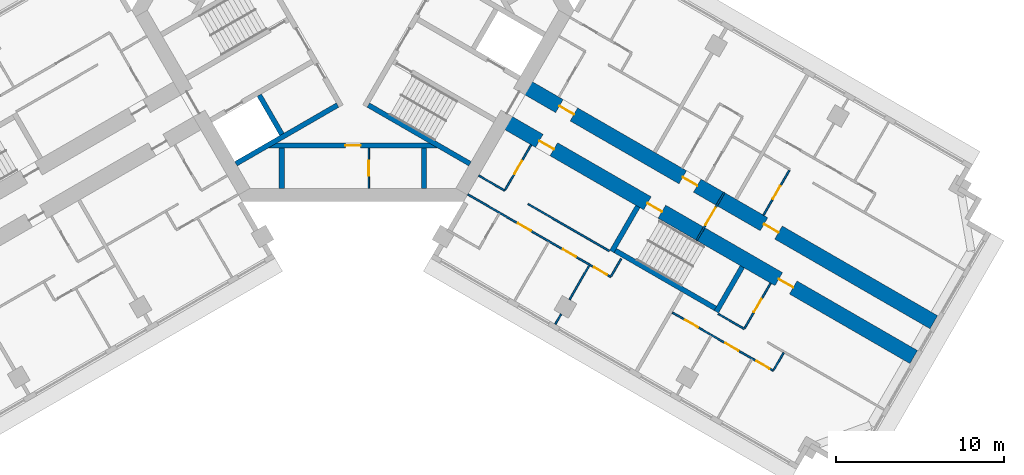
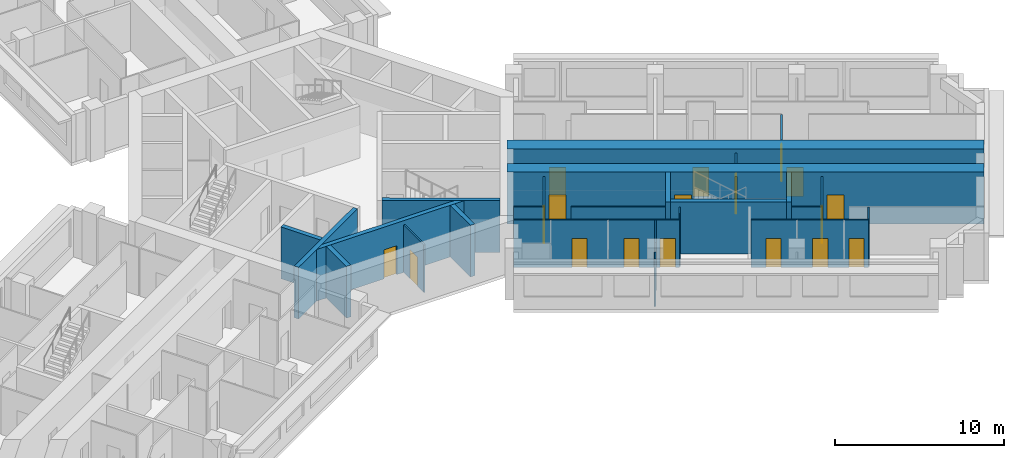
# One storey, part 5 of 12: 25 walls, 18 doors, 18 openings.
"""IFC4 building model written with IfcOpenShell, lengths in metres."""

from ifc_helpers import new_model, si_unit, direction, frame, frame_2d, origin, place, context, subcontext, project, spatial, rectangle, extrude, material, layer, layer_set, type_object, element, fill, save


model = new_model("IFC4")

# Units and contexts
model_context = context("Model", 3, precision=1e-05, world=origin(), true_north=direction((0.0, 1.0)))
body_context = subcontext(model_context, "Body", "Model", "MODEL_VIEW")
ifc_project = project(units=[si_unit("LENGTHUNIT", "METRE"), si_unit("AREAUNIT", "SQUARE_METRE"), si_unit("VOLUMEUNIT", "CUBIC_METRE"), si_unit("PLANEANGLEUNIT", "RADIAN"), si_unit("MASSUNIT", "GRAM", prefix="KILO")], contexts=[model_context])

# Site, building, storey
site_placement = place(None, origin())
site = spatial("IfcSite", under=ifc_project, at=site_placement, CompositionType="ELEMENT")
building_placement = place(site_placement, origin())
building = spatial("IfcBuilding", under=site, at=building_placement, Name="Impinga Residences", CompositionType="ELEMENT")
storey_placement = place(building_placement, frame((0.0, 0.0, 177.25)))
storey = spatial("IfcBuildingStorey", under=building, at=storey_placement, Name="L44", CompositionType="ELEMENT", Elevation=177.25)

# Wall, openings, doors
ifc_material_1 = material(Name="Concrete C60/75", Category="concrete")
ifc_layer_1 = layer(ifc_material_1, 0.89990234375)
ifc_layer_set_1 = layer_set([ifc_layer_1], Name="Concrete C60/75")
wall_type_1 = type_object("IfcWallType", Name="BW2 corridor buttress wall, L24 to L44 900", PredefinedType="SHEAR", material=ifc_layer_set_1)
wall_1_placement = place(storey_placement, frame((10.153564453125, -4.4765625, 0.0), z_axis=(0.0, 0.0, 1.0), x_axis=(0.866027127636, -0.49999701419, 0.0)))
wall_1 = element("IfcWall", 1, at=wall_1_placement, inside=storey, type_object=wall_type_1, Name="Corridor wall BW2 EC L44", PredefinedType="SHEAR", context=body_context, shape_type="SweptSolid", body=[
    extrude(rectangle(XDim=28.300048828125, YDim=0.89990234375, at=frame_2d((14.14990234375, 0.0))), origin(), (0.0, 0.0, 1.0), 3.75),
])
opening_1_placement = place(wall_1_placement, frame((2.5, 0.0, 0.0)))
opening_1 = element("IfcOpeningElement", 2, at=opening_1_placement, cuts=wall_1, Name="Opening D1", PredefinedType="OPENING", context=body_context, shape_type="SweptSolid", body=[
    extrude(rectangle(XDim=1.0, YDim=2.10009765625, at=frame_2d((0.5, 1.050048828125))), frame((0.0, 0.4599609375, 0.0), z_axis=(0.0, -1.0, 0.0), x_axis=(1.0, 0.0, 0.0)), (0.0, 0.0, 1.0), 0.919921875),
])
opening_2_placement = place(wall_1_placement, frame((11.0, 0.0, 0.0)))
opening_2 = element("IfcOpeningElement", 3, at=opening_2_placement, cuts=wall_1, Name="Opening D1", PredefinedType="OPENING", context=body_context, shape_type="SweptSolid", body=[
    extrude(rectangle(XDim=1.0, YDim=2.10009765625, at=frame_2d((0.5, 1.050048828125))), frame((0.0, 0.4599609375, 0.0), z_axis=(0.0, -1.0, 0.0), x_axis=(1.0, 0.0, 0.0)), (0.0, 0.0, 1.0), 0.919921875),
])
opening_3_placement = place(wall_1_placement, frame((16.60009765625, 0.0, 0.0)))
opening_3 = element("IfcOpeningElement", 4, at=opening_3_placement, cuts=wall_1, Name="Opening D1", PredefinedType="OPENING", context=body_context, shape_type="SweptSolid", body=[
    extrude(rectangle(XDim=1.0, YDim=2.10009765625, at=frame_2d((0.5, 1.050048828125))), frame((0.0, 0.4599609375, 0.0), z_axis=(0.0, -1.0, 0.0), x_axis=(1.0, 0.0, 0.0)), (0.0, 0.0, 1.0), 0.919921875),
])
ifc_material_2 = material(Name="Timber door set", Category="wood")
door_type_1 = type_object("IfcDoorType", Name="D1 apartment entrance door 1000x2100", OperationType="SINGLE_SWING_LEFT", PredefinedType="DOOR", material=ifc_material_2)
door_1_placement = place(opening_1_placement, origin())
door_1 = element("IfcDoor", 5, at=door_1_placement, inside=storey, type_object=door_type_1, Name="Apartment L44-EA1 entrance", OperationType="SINGLE_SWING_LEFT", OverallHeight=2.10009765625, OverallWidth=1.0, PredefinedType="DOOR", context=body_context, shape_type="SweptSolid", body=[
    extrude(rectangle(XDim=1.0, YDim=2.10009765625, at=frame_2d((0.5, 1.050048828125))), frame((0.0, 0.02490234375, 0.0), z_axis=(0.0, -1.0, 0.0), x_axis=(1.0, 0.0, 0.0)), (0.0, 0.0, 1.0), 0.050048828125),
])
fill(opening_1, door_1)
door_2_placement = place(opening_2_placement, origin())
door_2 = element("IfcDoor", 6, at=door_2_placement, inside=storey, type_object=door_type_1, Name="Apartment L44-EA2 entrance", OperationType="SINGLE_SWING_LEFT", OverallHeight=2.10009765625, OverallWidth=1.0, PredefinedType="DOOR", context=body_context, shape_type="SweptSolid", body=[
    extrude(rectangle(XDim=1.0, YDim=2.10009765625, at=frame_2d((0.5, 1.050048828125))), frame((0.0, 0.02490234375, 0.0), z_axis=(0.0, -1.0, 0.0), x_axis=(1.0, 0.0, 0.0)), (0.0, 0.0, 1.0), 0.050048828125),
])
fill(opening_2, door_2)
door_3_placement = place(opening_3_placement, origin())
door_3 = element("IfcDoor", 7, at=door_3_placement, inside=storey, type_object=door_type_1, Name="Apartment L44-EA3 entrance", OperationType="SINGLE_SWING_RIGHT", OverallHeight=2.10009765625, OverallWidth=1.0, PredefinedType="DOOR", context=body_context, shape_type="SweptSolid", body=[
    extrude(rectangle(XDim=1.0, YDim=2.10009765625, at=frame_2d((0.5, 1.050048828125))), frame((0.0, 0.02490234375, 0.0), z_axis=(0.0, -1.0, 0.0), x_axis=(1.0, 0.0, 0.0)), (0.0, 0.0, 1.0), 0.050048828125),
])
fill(opening_3, door_3)

wall_2_placement = place(storey_placement, frame((8.95361328125, -6.554931640625, 0.0), z_axis=(0.0, 0.0, 1.0), x_axis=(0.866023392092, -0.500003484338, 0.0)))
wall_2 = element("IfcWall", 8, at=wall_2_placement, inside=storey, type_object=wall_type_1, Name="Corridor wall BW2 ED L44", PredefinedType="SHEAR", context=body_context, shape_type="SweptSolid", body=[
    extrude(rectangle(XDim=28.300048828125, YDim=0.89990234375, at=frame_2d((14.14990234375, 0.0))), origin(), (0.0, 0.0, 1.0), 3.75),
])
opening_4_placement = place(wall_2_placement, frame((9.949951171875, 0.0, 0.0)))
opening_4 = element("IfcOpeningElement", 9, at=opening_4_placement, cuts=wall_2, Name="Opening D5", PredefinedType="OPENING", context=body_context, shape_type="SweptSolid", body=[
    extrude(rectangle(XDim=1.0, YDim=2.10009765625, at=frame_2d((0.5, 1.050048828125))), frame((0.0, 0.4599609375, 0.0), z_axis=(0.0, -1.0, 0.0), x_axis=(1.0, 0.0, 0.0)), (0.0, 0.0, 1.0), 0.919921875),
])
opening_5_placement = place(wall_2_placement, frame((2.5, 0.0, 0.0)))
opening_5 = element("IfcOpeningElement", 10, at=opening_5_placement, cuts=wall_2, Name="Opening D1", PredefinedType="OPENING", context=body_context, shape_type="SweptSolid", body=[
    extrude(rectangle(XDim=1.0, YDim=2.10009765625, at=frame_2d((0.5, 1.050048828125))), frame((0.0, 0.4599609375, 0.0), z_axis=(0.0, -1.0, 0.0), x_axis=(1.0, 0.0, 0.0)), (0.0, 0.0, 1.0), 0.919921875),
])
opening_6_placement = place(wall_2_placement, frame((19.0, 0.0, 0.0)))
opening_6 = element("IfcOpeningElement", 11, at=opening_6_placement, cuts=wall_2, Name="Opening D1", PredefinedType="OPENING", context=body_context, shape_type="SweptSolid", body=[
    extrude(rectangle(XDim=1.0, YDim=2.10009765625, at=frame_2d((0.5, 1.050048828125))), frame((0.0, 0.4599609375, 0.0), z_axis=(0.0, -1.0, 0.0), x_axis=(1.0, 0.0, 0.0)), (0.0, 0.0, 1.0), 0.919921875),
])
door_4_placement = place(opening_5_placement, origin())
door_4 = element("IfcDoor", 12, at=door_4_placement, inside=storey, type_object=door_type_1, Name="Apartment L44-EF1 entrance", OperationType="SINGLE_SWING_LEFT", OverallHeight=2.10009765625, OverallWidth=1.0, PredefinedType="DOOR", context=body_context, shape_type="SweptSolid", body=[
    extrude(rectangle(XDim=1.0, YDim=2.10009765625, at=frame_2d((0.5, 1.050048828125))), frame((0.0, 0.02490234375, 0.0), z_axis=(0.0, -1.0, 0.0), x_axis=(1.0, 0.0, 0.0)), (0.0, 0.0, 1.0), 0.050048828125),
])
fill(opening_5, door_4)
door_5_placement = place(opening_6_placement, origin())
door_5 = element("IfcDoor", 13, at=door_5_placement, inside=storey, type_object=door_type_1, Name="Apartment L44-EF2 entrance", OperationType="SINGLE_SWING_RIGHT", OverallHeight=2.10009765625, OverallWidth=1.0, PredefinedType="DOOR", context=body_context, shape_type="SweptSolid", body=[
    extrude(rectangle(XDim=1.0, YDim=2.10009765625, at=frame_2d((0.5, 1.050048828125))), frame((0.0, 0.02490234375, 0.0), z_axis=(0.0, -1.0, 0.0), x_axis=(1.0, 0.0, 0.0)), (0.0, 0.0, 1.0), 0.050048828125),
])
fill(opening_6, door_5)
door_type_2 = type_object("IfcDoorType", Name="D5 stair door 1000x2100", OperationType="SINGLE_SWING_LEFT", PredefinedType="DOOR", material=ifc_material_2)
door_6_placement = place(opening_4_placement, origin())
door_6 = element("IfcDoor", 14, at=door_6_placement, inside=storey, type_object=door_type_2, Name="Wing stair door E", OperationType="SINGLE_SWING_LEFT", OverallHeight=2.10009765625, OverallWidth=1.0, PredefinedType="DOOR", context=body_context, shape_type="SweptSolid", body=[
    extrude(rectangle(XDim=1.0, YDim=2.10009765625, at=frame_2d((0.5, 1.050048828125))), frame((0.0, 0.02490234375, 0.0), z_axis=(0.0, -1.0, 0.0), x_axis=(1.0, 0.0, 0.0)), (0.0, 0.0, 1.0), 0.050048828125),
])
fill(opening_4, door_6)

# Wall, opening, door
ifc_material_3 = material(Name="Concrete blockwork", Category="masonry")
ifc_layer_2 = layer(ifc_material_3, 0.10009765625)
ifc_layer_set_2 = layer_set([ifc_layer_2], Name="CP1 core room partition, blockwork 100")
wall_type_2 = type_object("IfcWallType", Name="CP1 core room partition, blockwork 100", PredefinedType="PARTITIONING", material=ifc_layer_set_2)
wall_3_placement = place(storey_placement, frame((0.949951171875, -8.2314453125, 0.0), z_axis=(0.0, 0.0, 1.0), x_axis=(0.0, -1.0, 0.0)))
wall_3 = element("IfcWall", 15, at=wall_3_placement, inside=storey, type_object=wall_type_2, Name="Core room partition, blockwork L44:CORE:low:ZP1", PredefinedType="PARTITIONING", context=body_context, shape_type="SweptSolid", body=[
    extrude(rectangle(XDim=2.400146484375, YDim=0.10009765625, at=frame_2d((1.2001953125, 0.0))), origin(), (0.0, 0.0, 1.0), 3.449951171875),
])
opening_7_placement = place(wall_3_placement, frame((0.75, 0.0, 0.0)))
opening_7 = element("IfcOpeningElement", 16, at=opening_7_placement, cuts=wall_3, Name="Opening D6", PredefinedType="OPENING", context=body_context, shape_type="SweptSolid", body=[
    extrude(rectangle(XDim=0.89990234375, YDim=2.10009765625, at=frame_2d((0.449951171875, 1.050048828125))), frame((0.0, 0.06005859375, 0.0), z_axis=(0.0, -1.0, 0.0), x_axis=(1.0, 0.0, 0.0)), (0.0, 0.0, 1.0), 0.1201171875),
])
door_type_3 = type_object("IfcDoorType", Name="D6 riser and store door 900x2100", OperationType="SINGLE_SWING_LEFT", PredefinedType="DOOR", material=ifc_material_2)
door_7_placement = place(opening_7_placement, origin())
door_7 = element("IfcDoor", 17, at=door_7_placement, inside=storey, type_object=door_type_3, Name="Staff WC door", OperationType="SINGLE_SWING_LEFT", OverallHeight=2.10009765625, OverallWidth=0.89990234375, PredefinedType="DOOR", context=body_context, shape_type="SweptSolid", body=[
    extrude(rectangle(XDim=0.89990234375, YDim=2.10009765625, at=frame_2d((0.449951171875, 1.050048828125))), frame((0.0, 0.02490234375, 0.0), z_axis=(0.0, -1.0, 0.0), x_axis=(1.0, 0.0, 0.0)), (0.0, 0.0, 1.0), 0.050048828125),
])
fill(opening_7, door_7)

wall_4_placement = place(storey_placement, frame((22.156494140625, -10.88671875, 0.0), z_axis=(0.0, 0.0, 1.0), x_axis=(-0.499974350878, -0.866040211805, 0.0)))
wall_4 = element("IfcWall", 18, at=wall_4_placement, inside=storey, type_object=wall_type_2, Name="Core room partition, blockwork L44:E:PLB", PredefinedType="PARTITIONING", context=body_context, shape_type="SweptSolid", body=[
    extrude(rectangle(XDim=3.300048828125, YDim=0.10009765625, at=frame_2d((1.64990234375, 0.0))), origin(), (0.0, 0.0, 1.0), 3.449951171875),
])
opening_8_placement = place(wall_4_placement, frame((1.050048828125, 0.0, 0.0)))
opening_8 = element("IfcOpeningElement", 19, at=opening_8_placement, cuts=wall_4, Name="Opening D3", PredefinedType="OPENING", context=body_context, shape_type="SweptSolid", body=[
    extrude(rectangle(XDim=1.199951171875, YDim=2.10009765625, at=frame_2d((0.60009765625, 1.050048828125))), frame((0.0, 0.06005859375, 0.0), z_axis=(0.0, -1.0, 0.0), x_axis=(1.0, 0.0, 0.0)), (0.0, 0.0, 1.0), 0.1201171875),
])
door_type_4 = type_object("IfcDoorType", Name="D3 room door, leaf and a half 1200x2100", OperationType="DOUBLE_SWING_LEFT", PredefinedType="DOOR", material=ifc_material_2)
door_8_placement = place(opening_8_placement, origin())
door_8 = element("IfcDoor", 20, at=door_8_placement, inside=storey, type_object=door_type_4, Name="Private lobby door E", OperationType="DOUBLE_SWING_LEFT", OverallHeight=2.10009765625, OverallWidth=1.199951171875, PredefinedType="DOOR", context=body_context, shape_type="SweptSolid", body=[
    extrude(rectangle(XDim=1.199951171875, YDim=2.10009765625, at=frame_2d((0.60009765625, 1.050048828125))), frame((0.0, 0.02490234375, 0.0), z_axis=(0.0, -1.0, 0.0), x_axis=(1.0, 0.0, 0.0)), (0.0, 0.0, 1.0), 0.050048828125),
])
fill(opening_8, door_8)

ifc_material_4 = material(Name="Gypsum board on steel studs", Category="steel")
ifc_layer_3 = layer(ifc_material_4, 0.10009765625)
ifc_layer_set_3 = layer_set([ifc_layer_3], Name="Gypsum board on steel studs")
wall_type_3 = type_object("IfcWallType", Name="IP1 partition 100", PredefinedType="PARTITIONING", material=ifc_layer_set_3)
wall_5_placement = place(storey_placement, frame((24.494873046875, -12.23681640625, 0.0), z_axis=(0.0, 0.0, 1.0), x_axis=(0.500026960575, 0.86600983753, 0.0)))
wall_5 = element("IfcWall", 21, at=wall_5_placement, inside=storey, type_object=wall_type_3, Name="Partition L44-EA3:IB1", PredefinedType="PARTITIONING", context=body_context, shape_type="SweptSolid", body=[
    extrude(rectangle(XDim=3.099853515625, YDim=0.10009765625, at=frame_2d((1.5498046875, 0.0))), origin(), (0.0, 0.0, 1.0), 3.449951171875),
])
opening_9_placement = place(wall_5_placement, frame((1.10009765625, 0.0, 0.0)))
opening_9 = element("IfcOpeningElement", 22, at=opening_9_placement, cuts=wall_5, Name="Opening D2", PredefinedType="OPENING", context=body_context, shape_type="SweptSolid", body=[
    extrude(rectangle(XDim=0.89990234375, YDim=2.10009765625, at=frame_2d((0.449951171875, 1.050048828125))), frame((0.0, 0.06005859375, 0.0), z_axis=(0.0, -1.0, 0.0), x_axis=(1.0, 0.0, 0.0)), (0.0, 0.0, 1.0), 0.1201171875),
])
door_type_5 = type_object("IfcDoorType", Name="D2 internal door 900x2100", OperationType="SINGLE_SWING_LEFT", PredefinedType="DOOR", material=ifc_material_2)
door_9_placement = place(opening_9_placement, origin())
door_9 = element("IfcDoor", 23, at=door_9_placement, inside=storey, type_object=door_type_5, Name="Apartment L44-EA3 bathroom door", OperationType="SINGLE_SWING_LEFT", OverallHeight=2.10009765625, OverallWidth=0.89990234375, PredefinedType="DOOR", context=body_context, shape_type="SweptSolid", body=[
    extrude(rectangle(XDim=0.89990234375, YDim=2.10009765625, at=frame_2d((0.449951171875, 1.050048828125))), frame((0.0, 0.02490234375, 0.0), z_axis=(0.0, -1.0, 0.0), x_axis=(1.0, 0.0, 0.0)), (0.0, 0.0, 1.0), 0.050048828125),
])
fill(opening_9, door_9)

# Walls
wall_6_placement = place(storey_placement, frame((7.5, -9.872802734375, 0.0), z_axis=(0.0, 0.0, 1.0), x_axis=(0.866047807691, -0.499961193289, 0.0)))
element("IfcWall", 24, at=wall_6_placement, inside=storey, type_object=wall_type_3, Name="Partition L44-EF1:DIV0", PredefinedType="PARTITIONING", context=body_context, shape_type="SweptSolid", body=[
    extrude(rectangle(XDim=1.800048828125, YDim=0.10009765625, at=frame_2d((0.89990234375, 0.0))), origin(), (0.0, 0.0, 1.0), 3.449951171875),
])
wall_7_placement = place(storey_placement, frame((10.444580078125, -11.57275390625, 0.0), z_axis=(0.0, 0.0, 1.0), x_axis=(0.866015695474, -0.500016814911, 0.0)))
element("IfcWall", 25, at=wall_7_placement, inside=storey, type_object=wall_type_3, Name="Partition L44-EF1:DIV1", PredefinedType="PARTITIONING", context=body_context, shape_type="SweptSolid", body=[
    extrude(rectangle(XDim=5.599853515625, YDim=0.10009765625, at=frame_2d((2.7998046875, 0.0))), origin(), (0.0, 0.0, 1.0), 3.449951171875),
])

# Wall, openings, doors
wall_8_placement = place(storey_placement, frame((6.85009765625, -10.99853515625, 0.0), z_axis=(0.0, 0.0, 1.0), x_axis=(0.866021308241, -0.500007093622, 0.0)))
wall_8 = element("IfcWall", 26, at=wall_8_placement, inside=storey, type_object=wall_type_3, Name="Partition L44-EF1:STRIP", PredefinedType="PARTITIONING", context=body_context, shape_type="SweptSolid", body=[
    extrude(rectangle(XDim=9.849853515625, YDim=0.10009765625, at=frame_2d((4.9248046875, 0.0))), origin(), (0.0, 0.0, 1.0), 3.449951171875),
])
opening_10_placement = place(wall_8_placement, frame((3.449951171875, 0.0, 0.0)))
opening_10 = element("IfcOpeningElement", 27, at=opening_10_placement, cuts=wall_8, Name="Opening D2", PredefinedType="OPENING", context=body_context, shape_type="SweptSolid", body=[
    extrude(rectangle(XDim=0.89990234375, YDim=2.10009765625, at=frame_2d((0.449951171875, 1.050048828125))), frame((0.0, 0.06005859375, 0.0), z_axis=(0.0, -1.0, 0.0), x_axis=(1.0, 0.0, 0.0)), (0.0, 0.0, 1.0), 0.1201171875),
])
opening_11_placement = place(wall_8_placement, frame((6.550048828125, 0.0, 0.0)))
opening_11 = element("IfcOpeningElement", 28, at=opening_11_placement, cuts=wall_8, Name="Opening D2", PredefinedType="OPENING", context=body_context, shape_type="SweptSolid", body=[
    extrude(rectangle(XDim=0.89990234375, YDim=2.10009765625, at=frame_2d((0.449951171875, 1.050048828125))), frame((0.0, 0.06005859375, 0.0), z_axis=(0.0, -1.0, 0.0), x_axis=(1.0, 0.0, 0.0)), (0.0, 0.0, 1.0), 0.1201171875),
])
opening_12_placement = place(wall_8_placement, frame((8.699951171875, 0.0, 0.0)))
opening_12 = element("IfcOpeningElement", 29, at=opening_12_placement, cuts=wall_8, Name="Opening D2", PredefinedType="OPENING", context=body_context, shape_type="SweptSolid", body=[
    extrude(rectangle(XDim=0.89990234375, YDim=2.10009765625, at=frame_2d((0.449951171875, 1.050048828125))), frame((0.0, 0.06005859375, 0.0), z_axis=(0.0, -1.0, 0.0), x_axis=(1.0, 0.0, 0.0)), (0.0, 0.0, 1.0), 0.1201171875),
])
door_10_placement = place(opening_10_placement, origin())
door_10 = element("IfcDoor", 30, at=door_10_placement, inside=storey, type_object=door_type_5, Name="Apartment L44-EF1 room door", OperationType="SINGLE_SWING_LEFT", OverallHeight=2.10009765625, OverallWidth=0.89990234375, PredefinedType="DOOR", context=body_context, shape_type="SweptSolid", body=[
    extrude(rectangle(XDim=0.89990234375, YDim=2.10009765625, at=frame_2d((0.449951171875, 1.050048828125))), frame((0.0, 0.02490234375, 0.0), z_axis=(0.0, -1.0, 0.0), x_axis=(1.0, 0.0, 0.0)), (0.0, 0.0, 1.0), 0.050048828125),
])
fill(opening_10, door_10)
door_11_placement = place(opening_11_placement, origin())
door_11 = element("IfcDoor", 31, at=door_11_placement, inside=storey, type_object=door_type_5, Name="Apartment L44-EF1 room door", OperationType="SINGLE_SWING_RIGHT", OverallHeight=2.10009765625, OverallWidth=0.89990234375, PredefinedType="DOOR", context=body_context, shape_type="SweptSolid", body=[
    extrude(rectangle(XDim=0.89990234375, YDim=2.10009765625, at=frame_2d((0.449951171875, 1.050048828125))), frame((0.0, 0.02490234375, 0.0), z_axis=(0.0, -1.0, 0.0), x_axis=(1.0, 0.0, 0.0)), (0.0, 0.0, 1.0), 0.050048828125),
])
fill(opening_11, door_11)
door_12_placement = place(opening_12_placement, origin())
door_12 = element("IfcDoor", 32, at=door_12_placement, inside=storey, type_object=door_type_5, Name="Apartment L44-EF1 room door", OperationType="SINGLE_SWING_RIGHT", OverallHeight=2.10009765625, OverallWidth=0.89990234375, PredefinedType="DOOR", context=body_context, shape_type="SweptSolid", body=[
    extrude(rectangle(XDim=0.89990234375, YDim=2.10009765625, at=frame_2d((0.449951171875, 1.050048828125))), frame((0.0, 0.02490234375, 0.0), z_axis=(0.0, -1.0, 0.0), x_axis=(1.0, 0.0, 0.0)), (0.0, 0.0, 1.0), 0.050048828125),
])
fill(opening_12, door_12)

# Wall
wall_9_placement = place(storey_placement, frame((16.00537109375, -14.841064453125, 0.0), z_axis=(0.0, 0.0, 1.0), x_axis=(-0.50012165622, -0.865955154139, 0.0)))
element("IfcWall", 33, at=wall_9_placement, inside=storey, type_object=wall_type_3, Name="Partition L44-EF1:SE1", PredefinedType="PARTITIONING", context=body_context, shape_type="SweptSolid", body=[
    extrude(rectangle(XDim=1.199951171875, YDim=0.10009765625, at=frame_2d((0.60009765625, 0.0))), origin(), (0.0, 0.0, 1.0), 3.449951171875),
])

# Wall, opening, door
wall_10_placement = place(storey_placement, frame((10.6337890625, -8.044677734375, 0.0), z_axis=(0.0, 0.0, 1.0), x_axis=(-0.49999285859, -0.86602952684, 0.0)))
wall_10 = element("IfcWall", 34, at=wall_10_placement, inside=storey, type_object=wall_type_3, Name="Partition L44-EF1:IB1", PredefinedType="PARTITIONING", context=body_context, shape_type="SweptSolid", body=[
    extrude(rectangle(XDim=3.10009765625, YDim=0.10009765625, at=frame_2d((1.550048828125, 0.0))), origin(), (0.0, 0.0, 1.0), 3.449951171875),
])
opening_13_placement = place(wall_10_placement, frame((1.10009765625, 0.0, 0.0)))
opening_13 = element("IfcOpeningElement", 35, at=opening_13_placement, cuts=wall_10, Name="Opening D2", PredefinedType="OPENING", context=body_context, shape_type="SweptSolid", body=[
    extrude(rectangle(XDim=0.89990234375, YDim=2.10009765625, at=frame_2d((0.449951171875, 1.050048828125))), frame((0.0, 0.06005859375, 0.0), z_axis=(0.0, -1.0, 0.0), x_axis=(1.0, 0.0, 0.0)), (0.0, 0.0, 1.0), 0.1201171875),
])
door_13_placement = place(opening_13_placement, origin())
door_13 = element("IfcDoor", 36, at=door_13_placement, inside=storey, type_object=door_type_5, Name="Apartment L44-EF1 bathroom door", OperationType="SINGLE_SWING_LEFT", OverallHeight=2.10009765625, OverallWidth=0.89990234375, PredefinedType="DOOR", context=body_context, shape_type="SweptSolid", body=[
    extrude(rectangle(XDim=0.89990234375, YDim=2.10009765625, at=frame_2d((0.449951171875, 1.050048828125))), frame((0.0, 0.02490234375, 0.0), z_axis=(0.0, -1.0, 0.0), x_axis=(1.0, 0.0, 0.0)), (0.0, 0.0, 1.0), 0.050048828125),
])
fill(opening_13, door_13)

# Walls
wall_11_placement = place(storey_placement, frame((14.099609375, -15.241943359375, 0.0), z_axis=(0.0, 0.0, 1.0), x_axis=(-0.500016218704, -0.866016039709, 0.0)))
element("IfcWall", 37, at=wall_11_placement, inside=storey, type_object=wall_type_3, Name="Partition L44-EF1:OB2", PredefinedType="PARTITIONING", context=body_context, shape_type="SweptSolid", body=[
    extrude(rectangle(XDim=2.35009765625, YDim=0.10009765625, at=frame_2d((1.175048828125, 0.0))), origin(), (0.0, 0.0, 1.0), 3.449951171875),
])
wall_12_placement = place(storey_placement, frame((12.424560546875, -18.14306640625, 0.0), z_axis=(0.0, 0.0, 1.0), x_axis=(-0.499853302173, -0.866110083249, 0.0)))
element("IfcWall", 38, at=wall_12_placement, inside=storey, type_object=wall_type_3, Name="Partition L44-EF1:OB2b", PredefinedType="PARTITIONING", context=body_context, shape_type="SweptSolid", body=[
    extrude(rectangle(XDim=0.699951171875, YDim=0.10009765625, at=frame_2d((0.35009765625, 0.0))), origin(), (0.0, 0.0, 1.0), 3.449951171875),
])
wall_13_placement = place(storey_placement, frame((21.789306640625, -18.122802734375, 0.0), z_axis=(0.0, 0.0, 1.0), x_axis=(0.866047807691, -0.499961193289, 0.0)))
element("IfcWall", 39, at=wall_13_placement, inside=storey, type_object=wall_type_3, Name="Partition L44-EF2:DIV0", PredefinedType="PARTITIONING", context=body_context, shape_type="SweptSolid", body=[
    extrude(rectangle(XDim=1.800048828125, YDim=0.10009765625, at=frame_2d((0.89990234375, 0.0))), origin(), (0.0, 0.0, 1.0), 3.449951171875),
])

# Wall, openings, doors
wall_14_placement = place(storey_placement, frame((19.06103515625, -18.048583984375, 0.0), z_axis=(0.0, 0.0, 1.0), x_axis=(0.866031734426, -0.499989034847, 0.0)))
wall_14 = element("IfcWall", 40, at=wall_14_placement, inside=storey, type_object=wall_type_3, Name="Partition L44-EF2:STRIP", PredefinedType="PARTITIONING", context=body_context, shape_type="SweptSolid", body=[
    extrude(rectangle(XDim=6.949951171875, YDim=0.10009765625, at=frame_2d((3.47509765625, 0.0))), origin(), (0.0, 0.0, 1.0), 3.449951171875),
])
opening_14_placement = place(wall_14_placement, frame((0.875, 0.0, 0.0)))
opening_14 = element("IfcOpeningElement", 41, at=opening_14_placement, cuts=wall_14, Name="Opening D2", PredefinedType="OPENING", context=body_context, shape_type="SweptSolid", body=[
    extrude(rectangle(XDim=0.89990234375, YDim=2.10009765625, at=frame_2d((0.449951171875, 1.050048828125))), frame((0.0, 0.06005859375, 0.0), z_axis=(0.0, -1.0, 0.0), x_axis=(1.0, 0.0, 0.0)), (0.0, 0.0, 1.0), 0.1201171875),
])
opening_15_placement = place(wall_14_placement, frame((3.64990234375, 0.0, 0.0)))
opening_15 = element("IfcOpeningElement", 42, at=opening_15_placement, cuts=wall_14, Name="Opening D2", PredefinedType="OPENING", context=body_context, shape_type="SweptSolid", body=[
    extrude(rectangle(XDim=0.89990234375, YDim=2.10009765625, at=frame_2d((0.449951171875, 1.050048828125))), frame((0.0, 0.06005859375, 0.0), z_axis=(0.0, -1.0, 0.0), x_axis=(1.0, 0.0, 0.0)), (0.0, 0.0, 1.0), 0.1201171875),
])
opening_16_placement = place(wall_14_placement, frame((5.800048828125, 0.0, 0.0)))
opening_16 = element("IfcOpeningElement", 43, at=opening_16_placement, cuts=wall_14, Name="Opening D2", PredefinedType="OPENING", context=body_context, shape_type="SweptSolid", body=[
    extrude(rectangle(XDim=0.89990234375, YDim=2.10009765625, at=frame_2d((0.449951171875, 1.050048828125))), frame((0.0, 0.06005859375, 0.0), z_axis=(0.0, -1.0, 0.0), x_axis=(1.0, 0.0, 0.0)), (0.0, 0.0, 1.0), 0.1201171875),
])
door_14_placement = place(opening_14_placement, origin())
door_14 = element("IfcDoor", 44, at=door_14_placement, inside=storey, type_object=door_type_5, Name="Apartment L44-EF2 room door", OperationType="SINGLE_SWING_LEFT", OverallHeight=2.10009765625, OverallWidth=0.89990234375, PredefinedType="DOOR", context=body_context, shape_type="SweptSolid", body=[
    extrude(rectangle(XDim=0.89990234375, YDim=2.10009765625, at=frame_2d((0.449951171875, 1.050048828125))), frame((0.0, 0.02490234375, 0.0), z_axis=(0.0, -1.0, 0.0), x_axis=(1.0, 0.0, 0.0)), (0.0, 0.0, 1.0), 0.050048828125),
])
fill(opening_14, door_14)
door_15_placement = place(opening_15_placement, origin())
door_15 = element("IfcDoor", 45, at=door_15_placement, inside=storey, type_object=door_type_5, Name="Apartment L44-EF2 room door", OperationType="SINGLE_SWING_RIGHT", OverallHeight=2.10009765625, OverallWidth=0.89990234375, PredefinedType="DOOR", context=body_context, shape_type="SweptSolid", body=[
    extrude(rectangle(XDim=0.89990234375, YDim=2.10009765625, at=frame_2d((0.449951171875, 1.050048828125))), frame((0.0, 0.02490234375, 0.0), z_axis=(0.0, -1.0, 0.0), x_axis=(1.0, 0.0, 0.0)), (0.0, 0.0, 1.0), 0.050048828125),
])
fill(opening_15, door_15)
door_16_placement = place(opening_16_placement, origin())
door_16 = element("IfcDoor", 46, at=door_16_placement, inside=storey, type_object=door_type_5, Name="Apartment L44-EF2 room door", OperationType="SINGLE_SWING_RIGHT", OverallHeight=2.10009765625, OverallWidth=0.89990234375, PredefinedType="DOOR", context=body_context, shape_type="SweptSolid", body=[
    extrude(rectangle(XDim=0.89990234375, YDim=2.10009765625, at=frame_2d((0.449951171875, 1.050048828125))), frame((0.0, 0.02490234375, 0.0), z_axis=(0.0, -1.0, 0.0), x_axis=(1.0, 0.0, 0.0)), (0.0, 0.0, 1.0), 0.050048828125),
])
fill(opening_16, door_16)

# Wall
wall_15_placement = place(storey_placement, frame((25.704833984375, -20.44091796875, 0.0), z_axis=(0.0, 0.0, 1.0), x_axis=(-0.500033551112, -0.866006032174, 0.0)))
element("IfcWall", 47, at=wall_15_placement, inside=storey, type_object=wall_type_3, Name="Partition L44-EF2:SE1", PredefinedType="PARTITIONING", context=body_context, shape_type="SweptSolid", body=[
    extrude(rectangle(XDim=1.2001953125, YDim=0.10009765625, at=frame_2d((0.60009765625, 0.0))), origin(), (0.0, 0.0, 1.0), 3.449951171875),
])

# Wall, opening, door
wall_16_placement = place(storey_placement, frame((24.92333984375, -16.294677734375, 0.0), z_axis=(0.0, 0.0, 1.0), x_axis=(-0.49999285859, -0.86602952684, 0.0)))
wall_16 = element("IfcWall", 48, at=wall_16_placement, inside=storey, type_object=wall_type_3, Name="Partition L44-EF2:IB1", PredefinedType="PARTITIONING", context=body_context, shape_type="SweptSolid", body=[
    extrude(rectangle(XDim=3.10009765625, YDim=0.10009765625, at=frame_2d((1.550048828125, 0.0))), origin(), (0.0, 0.0, 1.0), 3.449951171875),
])
opening_17_placement = place(wall_16_placement, frame((1.10009765625, 0.0, 0.0)))
opening_17 = element("IfcOpeningElement", 49, at=opening_17_placement, cuts=wall_16, Name="Opening D2", PredefinedType="OPENING", context=body_context, shape_type="SweptSolid", body=[
    extrude(rectangle(XDim=0.89990234375, YDim=2.10009765625, at=frame_2d((0.449951171875, 1.050048828125))), frame((0.0, 0.06005859375, 0.0), z_axis=(0.0, -1.0, 0.0), x_axis=(1.0, 0.0, 0.0)), (0.0, 0.0, 1.0), 0.1201171875),
])
door_17_placement = place(opening_17_placement, origin())
door_17 = element("IfcDoor", 50, at=door_17_placement, inside=storey, type_object=door_type_5, Name="Apartment L44-EF2 bathroom door", OperationType="SINGLE_SWING_LEFT", OverallHeight=2.10009765625, OverallWidth=0.89990234375, PredefinedType="DOOR", context=body_context, shape_type="SweptSolid", body=[
    extrude(rectangle(XDim=0.89990234375, YDim=2.10009765625, at=frame_2d((0.449951171875, 1.050048828125))), frame((0.0, 0.02490234375, 0.0), z_axis=(0.0, -1.0, 0.0), x_axis=(1.0, 0.0, 0.0)), (0.0, 0.0, 1.0), 0.050048828125),
])
fill(opening_17, door_17)

# Walls
ifc_layer_4 = layer(ifc_material_1, 0.300048828125)
ifc_layer_set_4 = layer_set([ifc_layer_4], Name="Concrete C60/75")
wall_type_4 = type_object("IfcWallType", Name="SE1 wing stair enclosure wall 300", PredefinedType="SOLIDWALL", material=ifc_layer_set_4)
for number, where, z_axis, x_axis, name in (
    (51, (16.9990234375, -11.7197265625, 0.0), (0.0, 0.0, 1.0), (-0.499967891604, -0.866043940782, 0.0), "Stair enclosure wall SE1 E END0 L44"),
    (52, (23.234619140625, -15.31982421875, 0.0), (0.0, 0.0, 1.0), (-0.500026960575, -0.86600983753, 0.0), "Stair enclosure wall SE1 E END1 L44"),
):
    element("IfcWall", number, at=place(storey_placement, frame(where, z_axis=z_axis, x_axis=x_axis)), inside=storey, type_object=wall_type_4, Name=name, PredefinedType="SOLIDWALL", context=body_context, shape_type="SweptSolid", body=[
        extrude(rectangle(XDim=3.099853515625, YDim=0.300048828125, at=frame_2d((1.5498046875, 0.0))), origin(), (0.0, 0.0, 1.0), 3.75),
    ])
wall_17_placement = place(storey_placement, frame((15.654052734375, -14.349365234375, 0.0), z_axis=(0.0, 0.0, 1.0), x_axis=(0.866013532718, -0.500020560727, 0.0)))
element("IfcWall", 53, at=wall_17_placement, inside=storey, type_object=wall_type_4, Name="Stair enclosure wall SE1 E OUT L44", PredefinedType="SOLIDWALL", context=body_context, shape_type="SweptSolid", body=[
    extrude(rectangle(XDim=6.900146484375, YDim=0.300048828125, at=frame_2d((3.4501953125, 0.0))), origin(), (0.0, 0.0, 1.0), 3.75),
])
ifc_material_5 = material(Name="Concrete C70/85", Category="concrete")
ifc_layer_5 = layer(ifc_material_5, 0.300048828125)
ifc_layer_set_5 = layer_set([ifc_layer_5], Name="Concrete C70/85")
wall_type_5 = type_object("IfcWallType", Name="SW5 core inner wall, stairs, shafts and lobbies 300", PredefinedType="SHEAR", material=ifc_layer_set_5)
wall_18_placement = place(storey_placement, frame((-0.918701171875, -5.668701171875, 0.0), z_axis=(0.0, 0.0, 1.0), x_axis=(-0.866011380966, -0.500024287448, 0.0)))
element("IfcWall", 54, at=wall_18_placement, inside=storey, type_object=wall_type_5, Name="Core wall SW5 W:FF-OUT L44", PredefinedType="SHEAR", context=body_context, shape_type="SweptSolid", body=[
    extrude(rectangle(XDim=7.001708984375, YDim=0.300048828125, at=frame_2d((3.5009765625, 0.0))), origin(), (0.0, 0.0, 1.0), 3.75),
])
wall_19_placement = place(storey_placement, frame((-4.2412109375, -7.413818359375, 0.0), z_axis=(0.0, 0.0, 1.0), x_axis=(-0.500048589285, 0.86599734893, 0.0)))
element("IfcWall", 55, at=wall_19_placement, inside=storey, type_object=wall_type_5, Name="Core wall SW5 W:FF-RS L44", PredefinedType="SHEAR", context=body_context, shape_type="SweptSolid", body=[
    extrude(rectangle(XDim=2.699951171875, YDim=0.300048828125, at=frame_2d((1.35009765625, 0.0))), origin(), (0.0, 0.0, 1.0), 3.75),
])
wall_20_placement = place(storey_placement, frame((0.918701171875, -5.668701171875, 0.0), z_axis=(0.0, 0.0, 1.0), x_axis=(0.866011380966, -0.500024287448, 0.0)))
element("IfcWall", 56, at=wall_20_placement, inside=storey, type_object=wall_type_5, Name="Core wall SW5 E:ST-OUT L44", PredefinedType="SHEAR", context=body_context, shape_type="SweptSolid", body=[
    extrude(rectangle(XDim=7.001708984375, YDim=0.300048828125, at=frame_2d((3.5009765625, 0.0))), origin(), (0.0, 0.0, 1.0), 3.75),
])

# Wall, opening, door
wall_21_placement = place(storey_placement, frame((5.09765625, -8.08154296875, 0.0), z_axis=(0.0, 0.0, 1.0), x_axis=(-1.0, 0.0, 0.0)))
wall_21 = element("IfcWall", 57, at=wall_21_placement, inside=storey, type_object=wall_type_5, Name="Core wall SW5 N:BANK-FRONT L44", PredefinedType="SHEAR", context=body_context, shape_type="SweptSolid", body=[
    extrude(rectangle(XDim=10.1953125, YDim=0.300048828125, at=frame_2d((5.09765625, 0.0))), origin(), (0.0, 0.0, 1.0), 3.75),
])
opening_18_placement = place(wall_21_placement, frame((4.647705078125, 0.0, 0.0)))
opening_18 = element("IfcOpeningElement", 58, at=opening_18_placement, cuts=wall_21, Name="Opening D6", PredefinedType="OPENING", context=body_context, shape_type="SweptSolid", body=[
    extrude(rectangle(XDim=0.89990234375, YDim=2.10009765625, at=frame_2d((0.449951171875, 1.050048828125))), frame((0.0, 0.159912109375, 0.0), z_axis=(0.0, -1.0, 0.0), x_axis=(1.0, 0.0, 0.0)), (0.0, 0.0, 1.0), 0.320068359375),
])
door_18_placement = place(opening_18_placement, origin())
door_18 = element("IfcDoor", 59, at=door_18_placement, inside=storey, type_object=door_type_3, Name="Guest pantry door", OperationType="SINGLE_SWING_LEFT", OverallHeight=2.10009765625, OverallWidth=0.89990234375, PredefinedType="DOOR", context=body_context, shape_type="SweptSolid", body=[
    extrude(rectangle(XDim=0.89990234375, YDim=2.10009765625, at=frame_2d((0.449951171875, 1.050048828125))), frame((0.0, 0.02490234375, 0.0), z_axis=(0.0, -1.0, 0.0), x_axis=(1.0, 0.0, 0.0)), (0.0, 0.0, 1.0), 0.050048828125),
])
fill(opening_18, door_18)

# Walls
for number, where, z_axis, x_axis, name in (
    (60, (4.25, -8.2314453125, 0.0), (0.0, 0.0, 1.0), (0.0, -1.0, 0.0), "Core wall SW5 N:BANK-L L44"),
    (61, (-4.25, -8.2314453125, 0.0), (0.0, 0.0, 1.0), (0.0, -1.0, 0.0), "Core wall SW5 N:BANK-R L44"),
):
    element("IfcWall", number, at=place(storey_placement, frame(where, z_axis=z_axis, x_axis=x_axis)), inside=storey, type_object=wall_type_5, Name=name, PredefinedType="SHEAR", context=body_context, shape_type="SweptSolid", body=[
        extrude(rectangle(XDim=2.400146484375, YDim=0.300048828125, at=frame_2d((1.2001953125, 0.0))), origin(), (0.0, 0.0, 1.0), 3.75),
    ])

save(model, "model.ifc")
